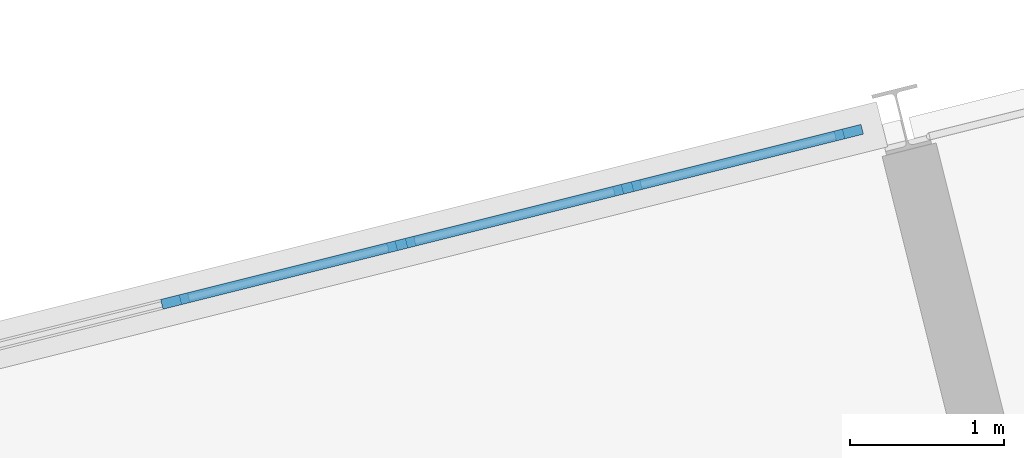
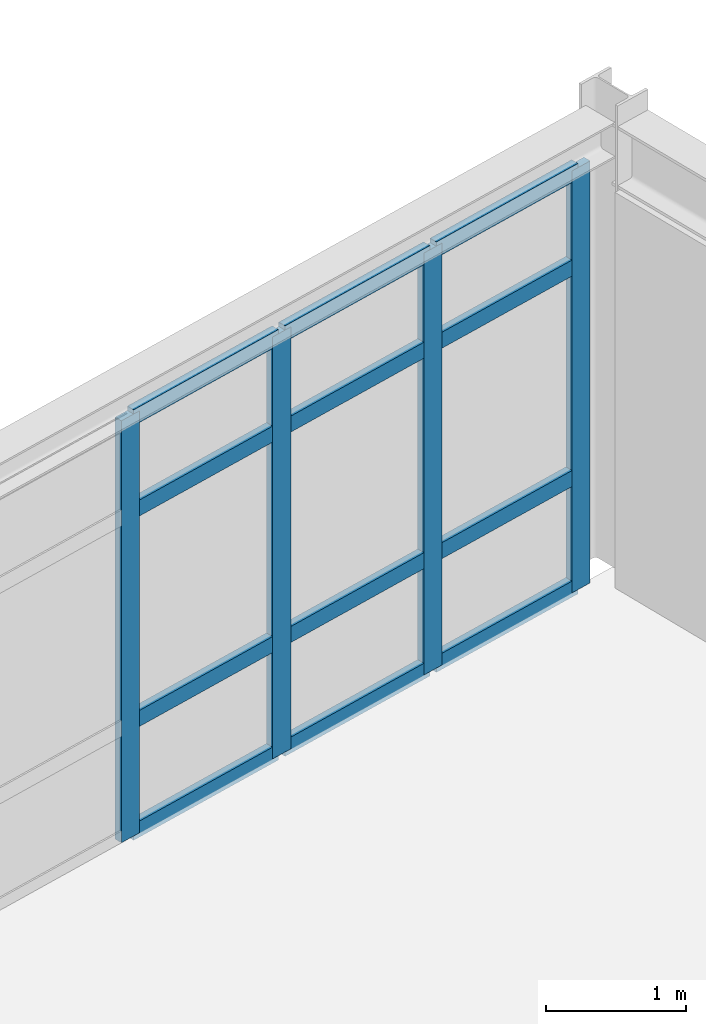
# One storey, part 25 of 64: 16 members, 1 element without a shape of its own.
"""IFC4 building model written with IfcOpenShell, lengths in metres."""

from ifc_helpers import new_model, si_unit, direction, frame, origin, origin_2d, place, context, subcontext, project, spatial, rectangle, extrude, material, layer, layer_set, material_profile, profile_set, type_object, element, aggregate, save


model = new_model("IFC4")

# Units and contexts
model_context = context("Model", 3, precision=1e-05, world=origin(), true_north=direction((0.0, 1.0)))
body_context = subcontext(model_context, "Body", "Model", "MODEL_VIEW")
ifc_project = project(units=[si_unit("LENGTHUNIT", "METRE"), si_unit("AREAUNIT", "SQUARE_METRE"), si_unit("VOLUMEUNIT", "CUBIC_METRE"), si_unit("PLANEANGLEUNIT", "RADIAN"), si_unit("MASSUNIT", "GRAM", prefix="KILO")], contexts=[model_context])

# Site, building, storey
site_placement = place(None, origin())
site = spatial("IfcSite", under=ifc_project, at=site_placement, CompositionType="ELEMENT")
building_placement = place(site_placement, origin())
building = spatial("IfcBuilding", under=site, at=building_placement, Name="Nordkorset Police Headquarters", CompositionType="ELEMENT")
storey_placement = place(building_placement, frame((0.0, 0.0, 17.85009765625)))
storey = spatial("IfcBuildingStorey", under=building, at=storey_placement, Name="L04", CompositionType="ELEMENT", Elevation=17.85009765625)

# Curtain wall, members
ifc_material_1 = material(Name="Aluminium alloy AW-6060", Category="aluminium")
ifc_layer = layer(ifc_material_1, 0.179931640625, Name="Aluminium alloy AW-6060")
ifc_layer_set = layer_set([ifc_layer], Name="Aluminium alloy AW-6060")
curtain_wall_type = type_object("IfcCurtainWallType", Name="CW_Unit_1056x369", PredefinedType="USERDEFINED", material=ifc_layer_set)
curtain_wall_placement = place(storey_placement, origin())
curtain_wall = element("IfcCurtainWall", 1, at=curtain_wall_placement, inside=storey, type_object=curtain_wall_type, Name="Unitised Curtain Wall L04 V4N-3", ObjectType="UNITISED CURTAIN WALL", PredefinedType="USERDEFINED")
ifc_material_2 = material(Name="Aluminium alloy AW-6060", Category="aluminium")
ifc_material_profile_1 = material_profile(ifc_material_2, rectangle(XDim=0.06494140625, YDim=0.179931640625, at=origin_2d()), Name="ALU MULL 65x180")
ifc_profile_set_1 = profile_set([ifc_material_profile_1], Name="Aluminium alloy AW-6060")
member_type_1 = type_object("IfcMemberType", Name="CW_Mullion_65x180", PredefinedType="MULLION", material=ifc_profile_set_1)
member_1_placement = place(storey_placement, frame((54.212158203125, 64.496337890625, 0.0), z_axis=(0.0, 0.0, 1.0), x_axis=(-0.242536070676, 0.970142388735, 0.0)))
member_1 = element("IfcMember", 2, at=member_1_placement, type_object=member_type_1, Name="CW-97 mullion 5", PredefinedType="MULLION", context=body_context, shape_type="SweptSolid", body=[
    extrude(rectangle(XDim=0.06494140625, YDim=0.179931640625, at=origin_2d()), origin(), (0.0, 0.0, 1.0), 3.69091796875),
])
member_2_placement = place(storey_placement, frame((55.67578125, 64.862060546875, 0.0), z_axis=(0.0, 0.0, 1.0), x_axis=(-0.242536070676, 0.970142388735, 0.0)))
member_2 = element("IfcMember", 3, at=member_2_placement, type_object=member_type_1, Name="CW-97 mullion 6", PredefinedType="MULLION", context=body_context, shape_type="SweptSolid", body=[
    extrude(rectangle(XDim=0.06494140625, YDim=0.179931640625, at=origin_2d()), origin(), (0.0, 0.0, 1.0), 3.69091796875),
])
member_3_placement = place(storey_placement, frame((57.13916015625, 65.22802734375, 0.0), z_axis=(0.0, 0.0, 1.0), x_axis=(-0.242536070676, 0.970142388735, 0.0)))
member_3 = element("IfcMember", 4, at=member_3_placement, type_object=member_type_1, Name="CW-97 mullion 7", PredefinedType="MULLION", context=body_context, shape_type="SweptSolid", body=[
    extrude(rectangle(XDim=0.06494140625, YDim=0.179931640625, at=origin_2d()), origin(), (0.0, 0.0, 1.0), 3.69091796875),
])
member_4_placement = place(storey_placement, frame((58.5712890625, 65.5859375, 0.0), z_axis=(0.0, 0.0, 1.0), x_axis=(-0.242536070676, 0.970142388735, 0.0)))
member_4 = element("IfcMember", 5, at=member_4_placement, type_object=member_type_1, Name="CW-97 mullion 8", PredefinedType="MULLION", context=body_context, shape_type="SweptSolid", body=[
    extrude(rectangle(XDim=0.06494140625, YDim=0.179931640625, at=origin_2d()), origin(), (0.0, 0.0, 1.0), 3.69091796875),
])
ifc_material_3 = material(Name="Aluminium alloy AW-6060", Category="aluminium")
ifc_material_profile_2 = material_profile(ifc_material_3, rectangle(XDim=0.06494140625, YDim=0.139892578125, at=origin_2d()), Name="ALU TRAN 65x140")
ifc_profile_set_2 = profile_set([ifc_material_profile_2], Name="Aluminium alloy AW-6060")
member_type_2 = type_object("IfcMemberType", Name="CW_Transom_65x140", PredefinedType="USERDEFINED", material=ifc_profile_set_2)
member_5_placement = place(storey_placement, frame((54.24365234375, 64.504150390625, 0.032470703125), z_axis=(0.970142500145, 0.242535625036, 0.0), x_axis=(-0.242535625036, 0.970142500145, 0.0)))
member_5 = element("IfcMember", 6, at=member_5_placement, type_object=member_type_2, Name="CW-97 transom 5.1", ObjectType="TRANSOM", PredefinedType="USERDEFINED", context=body_context, shape_type="SweptSolid", body=[
    extrude(rectangle(XDim=0.06494140625, YDim=0.139892578125, at=origin_2d()), origin(), (0.0, 0.0, 1.0), 1.443603515625),
])
member_6_placement = place(storey_placement, frame((54.24365234375, 64.504150390625, 1.0), z_axis=(0.970142500145, 0.242535625036, 0.0), x_axis=(-0.242535625036, 0.970142500145, 0.0)))
member_6 = element("IfcMember", 7, at=member_6_placement, type_object=member_type_2, Name="CW-97 transom 5.2", ObjectType="TRANSOM", PredefinedType="USERDEFINED", context=body_context, shape_type="SweptSolid", body=[
    extrude(rectangle(XDim=0.06494140625, YDim=0.139892578125, at=origin_2d()), origin(), (0.0, 0.0, 1.0), 1.443603515625),
])
member_7_placement = place(storey_placement, frame((54.24365234375, 64.504150390625, 2.8408203125), z_axis=(0.970142500145, 0.242535625036, 0.0), x_axis=(-0.242535625036, 0.970142500145, 0.0)))
member_7 = element("IfcMember", 8, at=member_7_placement, type_object=member_type_2, Name="CW-97 transom 5.3", ObjectType="TRANSOM", PredefinedType="USERDEFINED", context=body_context, shape_type="SweptSolid", body=[
    extrude(rectangle(XDim=0.06494140625, YDim=0.139892578125, at=origin_2d()), origin(), (0.0, 0.0, 1.0), 1.443603515625),
])
member_8_placement = place(storey_placement, frame((54.24365234375, 64.504150390625, 3.658447265625), z_axis=(0.970142500145, 0.242535625036, 0.0), x_axis=(-0.242535625036, 0.970142500145, 0.0)))
member_8 = element("IfcMember", 9, at=member_8_placement, type_object=member_type_2, Name="CW-97 transom 5.4", ObjectType="TRANSOM", PredefinedType="USERDEFINED", context=body_context, shape_type="SweptSolid", body=[
    extrude(rectangle(XDim=0.06494140625, YDim=0.139892578125, at=origin_2d()), origin(), (0.0, 0.0, 1.0), 1.443603515625),
])
member_9_placement = place(storey_placement, frame((55.707275390625, 64.869873046875, 0.032470703125), z_axis=(0.9701026929, 0.24269479852, 0.0), x_axis=(-0.24269479852, 0.9701026929, 0.0)))
member_9 = element("IfcMember", 10, at=member_9_placement, type_object=member_type_2, Name="CW-97 transom 6.1", ObjectType="TRANSOM", PredefinedType="USERDEFINED", context=body_context, shape_type="SweptSolid", body=[
    extrude(rectangle(XDim=0.06494140625, YDim=0.139892578125, at=origin_2d()), origin(), (0.0, 0.0, 1.0), 1.443603515625),
])
member_10_placement = place(storey_placement, frame((55.707275390625, 64.869873046875, 1.0), z_axis=(0.9701026929, 0.24269479852, 0.0), x_axis=(-0.24269479852, 0.9701026929, 0.0)))
member_10 = element("IfcMember", 11, at=member_10_placement, type_object=member_type_2, Name="CW-97 transom 6.2", ObjectType="TRANSOM", PredefinedType="USERDEFINED", context=body_context, shape_type="SweptSolid", body=[
    extrude(rectangle(XDim=0.06494140625, YDim=0.139892578125, at=origin_2d()), origin(), (0.0, 0.0, 1.0), 1.443603515625),
])
member_11_placement = place(storey_placement, frame((55.707275390625, 64.869873046875, 2.8408203125), z_axis=(0.9701026929, 0.24269479852, 0.0), x_axis=(-0.24269479852, 0.9701026929, 0.0)))
member_11 = element("IfcMember", 12, at=member_11_placement, type_object=member_type_2, Name="CW-97 transom 6.3", ObjectType="TRANSOM", PredefinedType="USERDEFINED", context=body_context, shape_type="SweptSolid", body=[
    extrude(rectangle(XDim=0.06494140625, YDim=0.139892578125, at=origin_2d()), origin(), (0.0, 0.0, 1.0), 1.443603515625),
])
member_12_placement = place(storey_placement, frame((55.707275390625, 64.869873046875, 3.658447265625), z_axis=(0.9701026929, 0.24269479852, 0.0), x_axis=(-0.24269479852, 0.9701026929, 0.0)))
member_12 = element("IfcMember", 13, at=member_12_placement, type_object=member_type_2, Name="CW-97 transom 6.4", ObjectType="TRANSOM", PredefinedType="USERDEFINED", context=body_context, shape_type="SweptSolid", body=[
    extrude(rectangle(XDim=0.06494140625, YDim=0.139892578125, at=origin_2d()), origin(), (0.0, 0.0, 1.0), 1.443603515625),
])
member_13_placement = place(storey_placement, frame((57.170654296875, 65.23583984375, 0.032470703125), z_axis=(0.970142500145, 0.242535625036, 0.0), x_axis=(-0.242535625036, 0.970142500145, 0.0)))
member_13 = element("IfcMember", 14, at=member_13_placement, type_object=member_type_2, Name="CW-97 transom 7.1", ObjectType="TRANSOM", PredefinedType="USERDEFINED", context=body_context, shape_type="SweptSolid", body=[
    extrude(rectangle(XDim=0.06494140625, YDim=0.139892578125, at=origin_2d()), origin(), (0.0, 0.0, 1.0), 1.411376953125),
])
member_14_placement = place(storey_placement, frame((57.170654296875, 65.23583984375, 1.0), z_axis=(0.970142500145, 0.242535625036, 0.0), x_axis=(-0.242535625036, 0.970142500145, 0.0)))
member_14 = element("IfcMember", 15, at=member_14_placement, type_object=member_type_2, Name="CW-97 transom 7.2", ObjectType="TRANSOM", PredefinedType="USERDEFINED", context=body_context, shape_type="SweptSolid", body=[
    extrude(rectangle(XDim=0.06494140625, YDim=0.139892578125, at=origin_2d()), origin(), (0.0, 0.0, 1.0), 1.411376953125),
])
member_15_placement = place(storey_placement, frame((57.170654296875, 65.23583984375, 2.8408203125), z_axis=(0.970142500145, 0.242535625036, 0.0), x_axis=(-0.242535625036, 0.970142500145, 0.0)))
member_15 = element("IfcMember", 16, at=member_15_placement, type_object=member_type_2, Name="CW-97 transom 7.3", ObjectType="TRANSOM", PredefinedType="USERDEFINED", context=body_context, shape_type="SweptSolid", body=[
    extrude(rectangle(XDim=0.06494140625, YDim=0.139892578125, at=origin_2d()), origin(), (0.0, 0.0, 1.0), 1.411376953125),
])
member_16_placement = place(storey_placement, frame((57.170654296875, 65.23583984375, 3.658447265625), z_axis=(0.970142500145, 0.242535625036, 0.0), x_axis=(-0.242535625036, 0.970142500145, 0.0)))
member_16 = element("IfcMember", 17, at=member_16_placement, type_object=member_type_2, Name="CW-97 transom 7.4", ObjectType="TRANSOM", PredefinedType="USERDEFINED", context=body_context, shape_type="SweptSolid", body=[
    extrude(rectangle(XDim=0.06494140625, YDim=0.139892578125, at=origin_2d()), origin(), (0.0, 0.0, 1.0), 1.411376953125),
])
aggregate(curtain_wall, [member_1, member_2, member_3, member_4, member_5, member_6, member_7, member_8, member_9, member_10, member_11, member_12, member_13, member_14, member_15, member_16])

save(model, "model.ifc")
